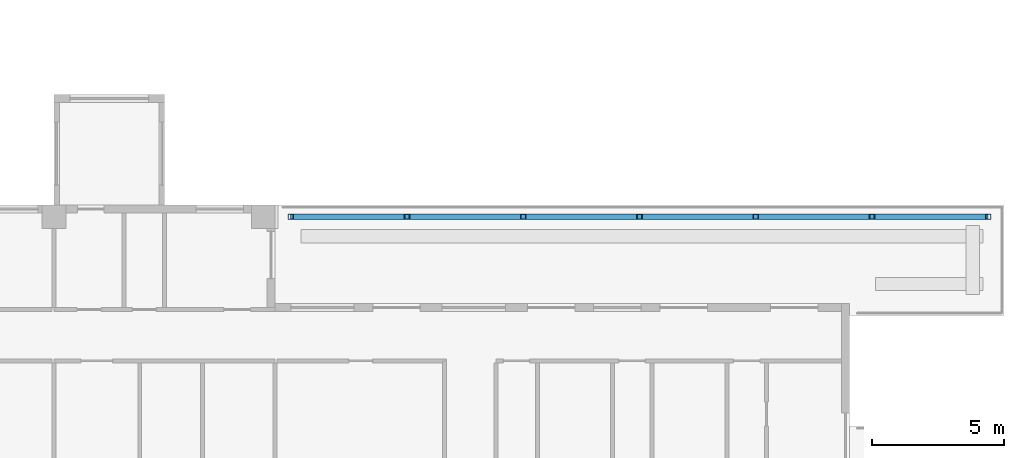
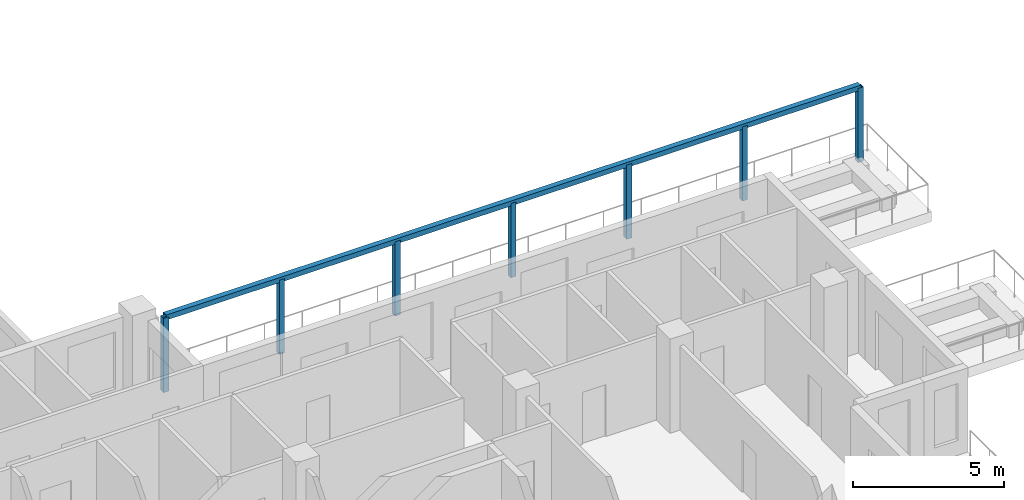
# One storey, part 2 of 15: 8 members.
"""IFC4 building model written with IfcOpenShell, lengths in metres."""

from ifc_helpers import new_model, si_unit, direction, frame, origin, origin_2d, place, context, subcontext, project, spatial, hollow_rectangle, extrude, source, transform, mapped, material, material_profile, profile_set, type_object, element, save


model = new_model("IFC4")

# Units and contexts
model_context = context("Model", 3, precision=1e-05, world=origin(), true_north=direction((0.0, 1.0)))
body_context = subcontext(model_context, "Body", "Model", "MODEL_VIEW")
ifc_project = project(units=[si_unit("LENGTHUNIT", "METRE"), si_unit("AREAUNIT", "SQUARE_METRE"), si_unit("VOLUMEUNIT", "CUBIC_METRE"), si_unit("PLANEANGLEUNIT", "RADIAN"), si_unit("MASSUNIT", "GRAM", prefix="KILO")], contexts=[model_context])

# Site, building, storey
site_placement = place(None, origin())
site = spatial("IfcSite", under=ifc_project, at=site_placement, CompositionType="ELEMENT")
building_placement = place(site_placement, origin())
building = spatial("IfcBuilding", under=site, at=building_placement, Name="Aurelian Terraces", CompositionType="ELEMENT")
storey_placement = place(building_placement, frame((0.0, 0.0, 177.8)))
storey = spatial("IfcBuildingStorey", under=building, at=storey_placement, Name="L38", CompositionType="ELEMENT", Elevation=177.8)

# Members
ifc_material = material(Name="Steel ASTM A500 Gr C", Category="steel")
ifc_material_profile_1 = material_profile(ifc_material, hollow_rectangle(XDim=0.2032, YDim=0.2032, WallThickness=0.0089, at=origin_2d()))
ifc_profile_set_1 = profile_set([ifc_material_profile_1], Name="Steel ASTM A500 Gr C")
member_type_1 = type_object("IfcMemberType", Name="PERGOLA BEAM HSS8X8X3/8", PredefinedType="STRINGER", material=ifc_profile_set_1)
member_placement = place(storey_placement, frame((38.4, 20.55, 3.0), z_axis=(1.0, 0.0, 0.0), x_axis=(0.0, 1.0, 0.0)))
element("IfcMember", 1, at=member_placement, inside=storey, type_object=member_type_1, Name="Pergola beam L38 RS38", PredefinedType="STRINGER", context=body_context, shape_type="SweptSolid", body=[
    extrude(hollow_rectangle(XDim=0.2032, YDim=0.2032, WallThickness=0.0089, at=origin_2d()), origin(), (0.0, 0.0, 1.0), 26.52),
])
ifc_material_profile_2 = material_profile(ifc_material, hollow_rectangle(XDim=0.2032, YDim=0.2032, WallThickness=0.0089, at=origin_2d()))
ifc_profile_set_2 = profile_set([ifc_material_profile_2], Name="Steel ASTM A500 Gr C")
member_type_2 = type_object("IfcMemberType", Name="PERGOLA POST HSS8X8X3/8", PredefinedType="POST", material=ifc_profile_set_2)
shared_shape = source(origin(), body_context, "Body", "SweptSolid", [
    extrude(hollow_rectangle(XDim=0.2032, YDim=0.2032, WallThickness=0.0089, at=origin_2d()), origin(), (0.0, 0.0, 1.0), 3.0),
])
for number, where, z_axis, x_axis, name in (
    (2, (38.4, 20.55, 0.0), (0.0, 0.0, 1.0), (1.0, 0.0, 0.0), "Pergola post L38 RS38.1"),
    (3, (42.82, 20.55, 0.0), (0.0, 0.0, 1.0), (1.0, 0.0, 0.0), "Pergola post L38 RS38.2"),
    (4, (47.24, 20.55, 0.0), (0.0, 0.0, 1.0), (1.0, 0.0, 0.0), "Pergola post L38 RS38.3"),
    (5, (51.66, 20.55, 0.0), (0.0, 0.0, 1.0), (1.0, 0.0, 0.0), "Pergola post L38 RS38.4"),
    (6, (56.08, 20.55, 0.0), (0.0, 0.0, 1.0), (1.0, 0.0, 0.0), "Pergola post L38 RS38.5"),
    (7, (60.5, 20.55, 0.0), (0.0, 0.0, 1.0), (1.0, 0.0, 0.0), "Pergola post L38 RS38.6"),
    (8, (64.92, 20.55, 0.0), (0.0, 0.0, 1.0), (1.0, 0.0, 0.0), "Pergola post L38 RS38.7"),
):
    element("IfcMember", number, at=place(storey_placement, frame(where, z_axis=z_axis, x_axis=x_axis)), inside=storey, type_object=member_type_2, Name=name, PredefinedType="POST", context=body_context, shape_type="MappedRepresentation", body=[
        mapped(shared_shape, transform((0.0, 0.0, 0.0), scale=1.0)),
    ])

save(model, "model.ifc")
